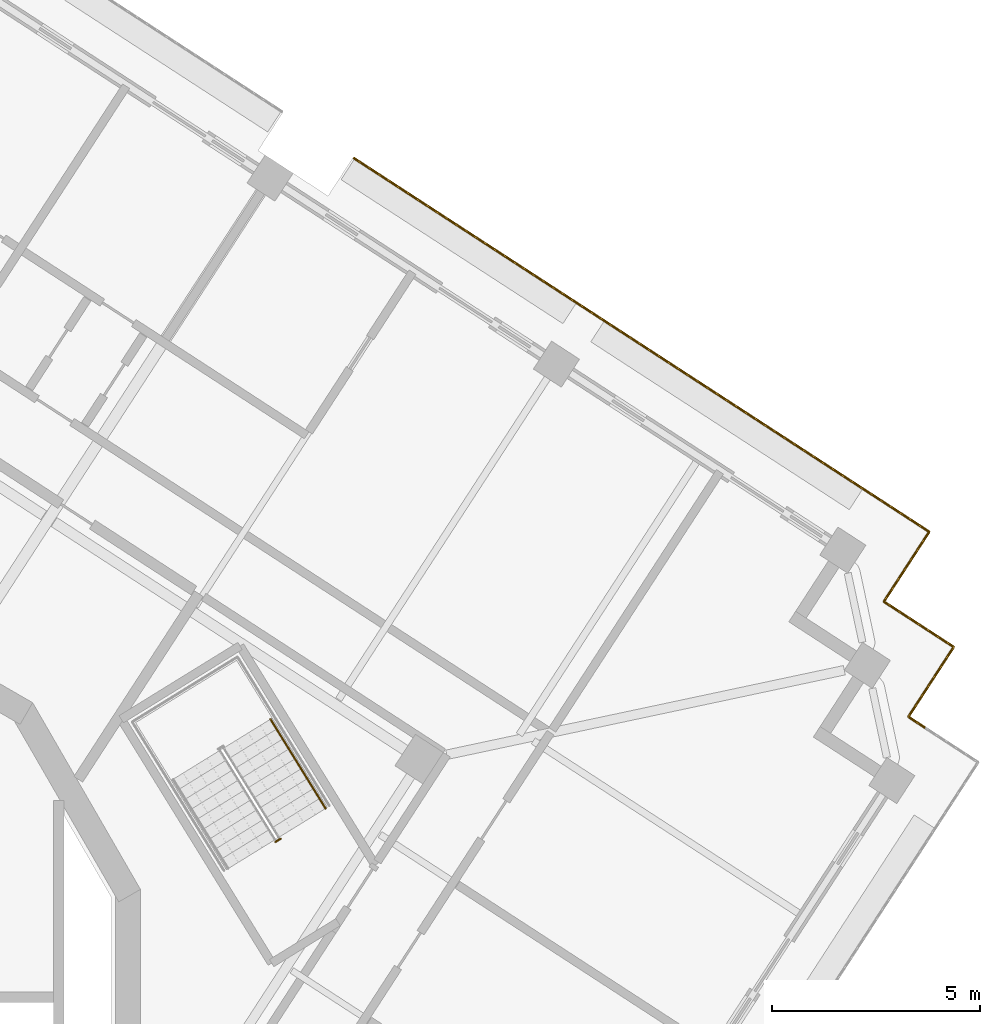
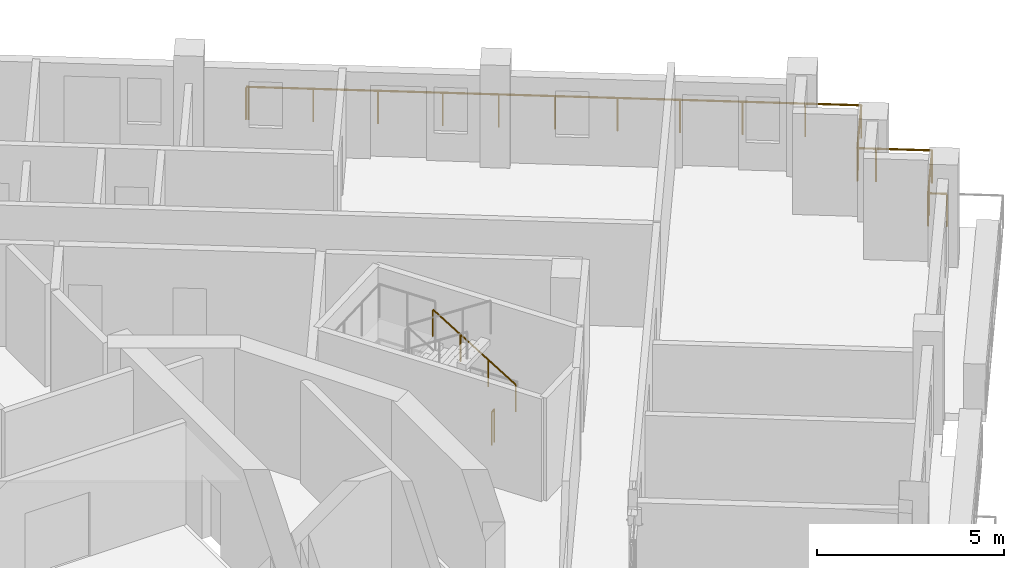
# One storey, part 15 of 17: 3 railings.
"""IFC4 building model written with IfcOpenShell, lengths in metres."""

from ifc_helpers import new_model, si_unit, direction, frame, origin, origin_2d, place, context, subcontext, project, spatial, circle, extrude, material, type_object, element, save


model = new_model("IFC4")

# Units and contexts
model_context = context("Model", 3, precision=1e-05, world=origin(), true_north=direction((0.0, 1.0)))
body_context = subcontext(model_context, "Body", "Model", "MODEL_VIEW")
ifc_project = project(units=[si_unit("LENGTHUNIT", "METRE"), si_unit("AREAUNIT", "SQUARE_METRE"), si_unit("VOLUMEUNIT", "CUBIC_METRE"), si_unit("PLANEANGLEUNIT", "RADIAN"), si_unit("MASSUNIT", "GRAM", prefix="KILO")], contexts=[model_context])

# Site, building, storey
site_placement = place(None, origin())
site = spatial("IfcSite", under=ifc_project, at=site_placement, CompositionType="ELEMENT")
building_placement = place(site_placement, origin())
building = spatial("IfcBuilding", under=site, at=building_placement, Name="Cantera Rosa Tower", CompositionType="ELEMENT")
storey_placement = place(building_placement, frame((0.0, 0.0, 257.699951171875)))
storey = spatial("IfcBuildingStorey", under=building, at=storey_placement, Name="L57", CompositionType="ELEMENT", Elevation=257.699951171875)

# Railings
ifc_material_1 = material(Name="Stainless steel and laminated glass", Category="steel")
railing_type_1 = type_object("IfcRailingType", Name="GUARD 1100", PredefinedType="BALUSTRADE", material=ifc_material_1)
railing_1_placement = place(storey_placement, frame((14.7880859375, 20.14599609375, 0.0)))
element("IfcRailing", 1, at=railing_1_placement, inside=storey, type_object=railing_type_1, Name="GUARD L57-10", PredefinedType="BALUSTRADE", context=body_context, shape_type="SweptSolid", body=[
    extrude(circle(Radius=0.030029296875, at=origin_2d()), frame((0.0, 0.0, 1.070068359375), z_axis=(0.838443616301, -0.544988350595, 0.0), x_axis=(0.544988350595, 0.838443616301, 0.0)), (0.0, 0.0, 1.0), 0.06982421875),
    extrude(circle(Radius=0.030029296875, at=origin_2d()), frame((0.05859375, -0.0380859375, 1.070068359375), z_axis=(0.838657010828, -0.544659910576, 0.0), x_axis=(0.544659910576, 0.838657010828, 0.0)), (0.0, 0.0, 1.0), 5.2001953125),
    extrude(circle(Radius=0.030029296875, at=origin_2d()), frame((4.419677734375, -2.870361328125, 1.070068359375), z_axis=(0.8387001057, -0.544593548161, 0.0), x_axis=(0.544593548161, 0.8387001057, 0.0)), (0.0, 0.0, 1.0), 3.0),
    extrude(circle(Radius=0.030029296875, at=origin_2d()), frame((6.935791015625, -4.504150390625, 1.070068359375), z_axis=(0.838666659313, -0.544645053734, 0.0), x_axis=(0.544645053734, 0.838666659313, 0.0)), (0.0, 0.0, 1.0), 6.7001953125),
    extrude(circle(Radius=0.030029296875, at=origin_2d()), frame((12.554931640625, -8.1533203125, 1.070068359375), z_axis=(0.838651824232, -0.544667896716, 0.0), x_axis=(0.544667896716, 0.838651824232, 0.0)), (0.0, 0.0, 1.0), 1.499755859375),
    extrude(circle(Radius=0.030029296875, at=origin_2d()), frame((13.812744140625, -8.97021484375, 1.070068359375), z_axis=(-0.544593548161, -0.8387001057, 0.0), x_axis=(0.8387001057, -0.544593548161, 0.0)), (0.0, 0.0, 1.0), 1.5),
    extrude(circle(Radius=0.030029296875, at=origin_2d()), frame((12.995849609375, -10.228271484375, 1.070068359375), z_axis=(-0.544627753175, -0.83867789435, 0.0), x_axis=(0.83867789435, -0.544627753175, 0.0)), (0.0, 0.0, 1.0), 0.499755859375),
    extrude(circle(Radius=0.030029296875, at=origin_2d()), frame((12.7236328125, -10.6474609375, 1.070068359375), z_axis=(0.838454772945, -0.544971186143, 0.0), x_axis=(0.544971186143, 0.838454772945, 0.0)), (0.0, 0.0, 1.0), 0.5),
    extrude(circle(Radius=0.030029296875, at=origin_2d()), frame((13.142822265625, -10.919921875, 1.070068359375), z_axis=(0.8387001057, -0.544593548161, 0.0), x_axis=(0.544593548161, 0.8387001057, 0.0)), (0.0, 0.0, 1.0), 1.5),
    extrude(circle(Radius=0.030029296875, at=origin_2d()), frame((14.40087890625, -11.73681640625, 1.070068359375), z_axis=(-0.544593548161, -0.8387001057, 0.0), x_axis=(0.8387001057, -0.544593548161, 0.0)), (0.0, 0.0, 1.0), 1.5),
    extrude(circle(Radius=0.030029296875, at=origin_2d()), frame((13.583984375, -12.994873046875, 1.070068359375), z_axis=(-0.544627753175, -0.83867789435, 0.0), x_axis=(0.83867789435, -0.544627753175, 0.0)), (0.0, 0.0, 1.0), 0.499755859375),
    extrude(circle(Radius=0.030029296875, at=origin_2d()), frame((13.311767578125, -13.4140625, 1.070068359375), z_axis=(0.838454772945, -0.544971186143, 0.0), x_axis=(0.544971186143, 0.838454772945, 0.0)), (0.0, 0.0, 1.0), 0.5),
    extrude(circle(Radius=0.02490234375, at=origin_2d()), origin(), (0.0, 0.0, 1.0), 1.0400390625),
    extrude(circle(Radius=0.02490234375, at=origin_2d()), frame((0.05859375, -0.0380859375, 0.0)), (0.0, 0.0, 1.0), 1.0400390625),
    extrude(circle(Radius=0.02490234375, at=origin_2d()), frame((1.51220703125, -0.982177734375, 0.0)), (0.0, 0.0, 1.0), 1.0400390625),
    extrude(circle(Radius=0.02490234375, at=origin_2d()), frame((2.966064453125, -1.92626953125, 0.0)), (0.0, 0.0, 1.0), 1.0400390625),
    extrude(circle(Radius=0.02490234375, at=origin_2d()), frame((4.419677734375, -2.870361328125, 0.0)), (0.0, 0.0, 1.0), 1.0400390625),
    extrude(circle(Radius=0.02490234375, at=origin_2d()), frame((5.677734375, -3.687255859375, 0.0)), (0.0, 0.0, 1.0), 1.0400390625),
    extrude(circle(Radius=0.02490234375, at=origin_2d()), frame((6.935791015625, -4.504150390625, 0.0)), (0.0, 0.0, 1.0), 1.0400390625),
    extrude(circle(Radius=0.02490234375, at=origin_2d()), frame((8.340576171875, -5.41650390625, 0.0)), (0.0, 0.0, 1.0), 1.0400390625),
    extrude(circle(Radius=0.02490234375, at=origin_2d()), frame((9.745361328125, -6.32861328125, 0.0)), (0.0, 0.0, 1.0), 1.0400390625),
    extrude(circle(Radius=0.02490234375, at=origin_2d()), frame((11.150146484375, -7.240966796875, 0.0)), (0.0, 0.0, 1.0), 1.0400390625),
    extrude(circle(Radius=0.02490234375, at=origin_2d()), frame((12.554931640625, -8.1533203125, 0.0)), (0.0, 0.0, 1.0), 1.0400390625),
    extrude(circle(Radius=0.02490234375, at=origin_2d()), frame((13.812744140625, -8.97021484375, 0.0)), (0.0, 0.0, 1.0), 1.0400390625),
    extrude(circle(Radius=0.02490234375, at=origin_2d()), frame((12.995849609375, -10.228271484375, 0.0)), (0.0, 0.0, 1.0), 1.0400390625),
    extrude(circle(Radius=0.02490234375, at=origin_2d()), frame((12.7236328125, -10.6474609375, 0.0)), (0.0, 0.0, 1.0), 1.0400390625),
    extrude(circle(Radius=0.02490234375, at=origin_2d()), frame((13.142822265625, -10.919921875, 0.0)), (0.0, 0.0, 1.0), 1.0400390625),
    extrude(circle(Radius=0.02490234375, at=origin_2d()), frame((14.40087890625, -11.73681640625, 0.0)), (0.0, 0.0, 1.0), 1.0400390625),
    extrude(circle(Radius=0.02490234375, at=origin_2d()), frame((13.583984375, -12.994873046875, 0.0)), (0.0, 0.0, 1.0), 1.0400390625),
    extrude(circle(Radius=0.02490234375, at=origin_2d()), frame((13.311767578125, -13.4140625, 0.0)), (0.0, 0.0, 1.0), 1.0400390625),
    extrude(circle(Radius=0.02490234375, at=origin_2d()), frame((13.73095703125, -13.6865234375, 0.0)), (0.0, 0.0, 1.0), 1.0400390625),
])
ifc_material_2 = material(Name="Steel S355J2 (EN 10025-2)", Category="steel")
railing_type_2 = type_object("IfcRailingType", Name="STAIR GUARD 1100", PredefinedType="GUARDRAIL", material=ifc_material_2)
railing_2_placement = place(storey_placement, frame((13.025146484375, 3.80517578125, 0.0)))
element("IfcRailing", 2, at=railing_2_placement, inside=storey, type_object=railing_type_2, Name="L57 ST-51 stair guard 3", PredefinedType="GUARDRAIL", context=body_context, shape_type="SweptSolid", body=[
    extrude(circle(Radius=0.02392578125, at=origin_2d()), frame((0.0, 0.0, 1.076171875), z_axis=(-0.851546489876, -0.524279100842, 0.0), x_axis=(0.524279100842, -0.851546489876, 0.0)), (0.0, 0.0, 1.0), 0.14990234375),
    extrude(circle(Radius=0.02099609375, at=origin_2d()), origin(), (0.0, 0.0, 1.0), 1.052001953125),
    extrude(circle(Radius=0.02099609375, at=origin_2d()), frame((-0.127685546875, -0.07861328125, 0.0)), (0.0, 0.0, 1.0), 1.052001953125),
])
ifc_material_3 = material(Name="Steel S355J2 (EN 10025-2)", Category="steel")
railing_type_3 = type_object("IfcRailingType", Name="STAIR HANDRAIL 900", PredefinedType="HANDRAIL", material=ifc_material_3)
railing_3_placement = place(storey_placement, frame((14.105224609375, 4.5302734375, 0.179931640625)))
element("IfcRailing", 3, at=railing_3_placement, inside=storey, type_object=railing_type_3, Name="L57 ST-51 stair handrail 1", PredefinedType="HANDRAIL", context=body_context, shape_type="SweptSolid", body=[
    extrude(circle(Radius=0.02392578125, at=origin_2d()), frame((0.0, 0.0, 0.8759765625), z_axis=(-0.441609067481, 0.715913574058, 0.540785711718), x_axis=(-0.851102330005, -0.524999832248, 0.0)), (0.0, 0.0, 1.0), 2.995849609375),
    extrude(circle(Radius=0.02099609375, at=origin_2d()), origin(), (0.0, 0.0, 1.0), 0.851806640625),
    extrude(circle(Radius=0.02099609375, at=origin_2d()), frame((-0.44091796875, 0.71484375, 0.5400390625)), (0.0, 0.0, 1.0), 0.851806640625),
    extrude(circle(Radius=0.02099609375, at=origin_2d()), frame((-0.882080078125, 1.429931640625, 1.080078125)), (0.0, 0.0, 1.0), 0.851806640625),
    extrude(circle(Radius=0.02099609375, at=origin_2d()), frame((-1.322998046875, 2.144775390625, 1.6201171875)), (0.0, 0.0, 1.0), 0.851806640625),
])

save(model, "model.ifc")
